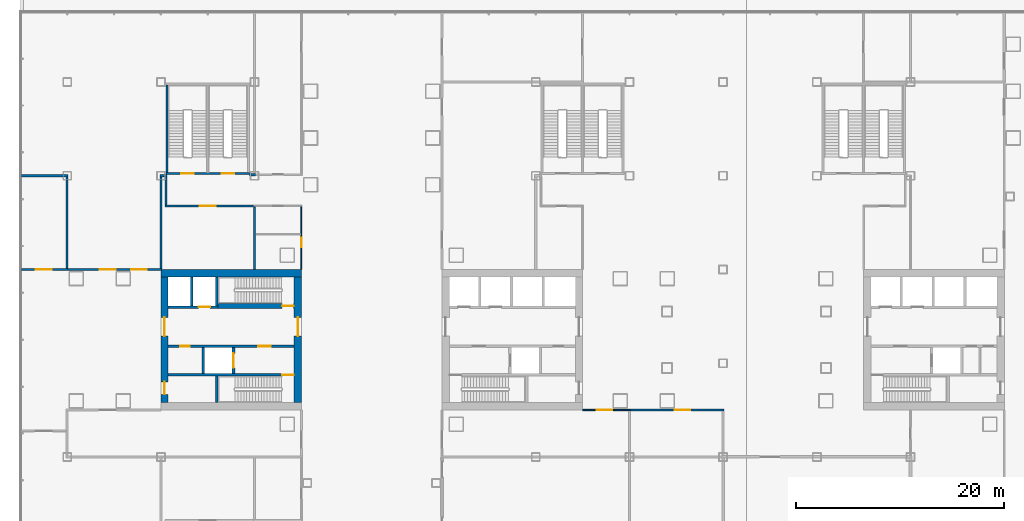
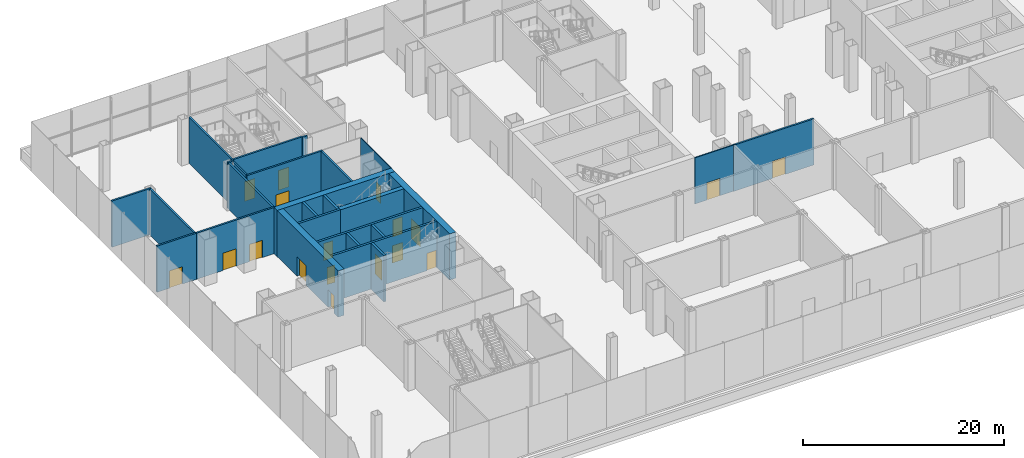
# One storey, part 23 of 38: 27 walls, 18 doors, 18 openings.
"""IFC4 building model written with IfcOpenShell, lengths in metres."""

from ifc_helpers import new_model, si_unit, direction, frame, frame_2d, origin, place, context, subcontext, project, spatial, rectangle, extrude, material, layer, layer_set, type_object, element, fill, save


model = new_model("IFC4")

# Units and contexts
model_context = context("Model", 3, precision=1e-05, world=origin(), true_north=direction((0.0, 1.0)))
body_context = subcontext(model_context, "Body", "Model", "MODEL_VIEW")
ifc_project = project(units=[si_unit("LENGTHUNIT", "METRE"), si_unit("AREAUNIT", "SQUARE_METRE"), si_unit("VOLUMEUNIT", "CUBIC_METRE"), si_unit("PLANEANGLEUNIT", "RADIAN"), si_unit("MASSUNIT", "GRAM", prefix="KILO")], contexts=[model_context])

# Site, building, storey
site_placement = place(None, origin())
site = spatial("IfcSite", under=ifc_project, at=site_placement, CompositionType="ELEMENT")
building_placement = place(site_placement, origin())
building = spatial("IfcBuilding", under=site, at=building_placement, Name="Shamsa Quay Exchange Towers", CompositionType="ELEMENT")
storey_placement = place(building_placement, frame((0.0, 0.0, 12.5)))
storey = spatial("IfcBuildingStorey", under=building, at=storey_placement, Name="L02", CompositionType="ELEMENT", Elevation=12.5)

# Wall, opening, door
ifc_material_1 = material(Name="Double-leaf gypsum board partition with acoustic insulation")
ifc_layer_1 = layer(ifc_material_1, 0.199951171875)
ifc_layer_set_1 = layer_set([ifc_layer_1], Name="Acoustic partition 200 mm EI 60")
wall_type_1 = type_object("IfcWallType", Name="Acoustic partition 200 mm EI 60", PredefinedType="PARTITIONING", material=ifc_layer_set_1)
wall_1_placement = place(storey_placement, frame((0.10009765625, -6.75, 0.0), z_axis=(0.0, 0.0, 1.0), x_axis=(-1.0, 0.0, 0.0)))
wall_1 = element("IfcWall", 1, at=wall_1_placement, inside=storey, type_object=wall_type_1, Name="Partition PD-L02-W22", PredefinedType="PARTITIONING", context=body_context, shape_type="SweptSolid", body=[
    extrude(rectangle(XDim=9.2001953125, YDim=0.199951171875, at=frame_2d((4.60009765625, 0.0))), origin(), (0.0, 0.0, 1.0), 5.60009765625),
])
opening_1_placement = place(wall_1_placement, frame((3.25, 0.0, 0.0)))
opening_1 = element("IfcOpeningElement", 2, at=opening_1_placement, cuts=wall_1, Name="Opening PD-L02-D30", PredefinedType="OPENING", context=body_context, shape_type="SweptSolid", body=[
    extrude(rectangle(XDim=1.5, YDim=2.10009765625, at=frame_2d((0.75, 1.050048828125))), frame((0.0, 0.10986328125, 0.0), z_axis=(0.0, -1.0, 0.0), x_axis=(1.0, 0.0, 0.0)), (0.0, 0.0, 1.0), 0.219970703125),
])
ifc_material_2 = material(Name="Timber door leaf in a metal frame", Category="wood")
door_type_1 = type_object("IfcDoorType", Name="Door 1500x2100 FD30S pair", OperationType="NOTDEFINED", PredefinedType="DOOR", material=ifc_material_2)
door_1_placement = place(opening_1_placement, origin())
door_1 = element("IfcDoor", 3, at=door_1_placement, inside=storey, type_object=door_type_1, Name="Door PD-L02-D30", OperationType="DOUBLE_DOOR_SINGLE_SWING", OverallHeight=2.10009765625, OverallWidth=1.5, PredefinedType="DOOR", context=body_context, shape_type="SweptSolid", body=[
    extrude(rectangle(XDim=1.5, YDim=2.10009765625, at=frame_2d((0.75, 1.050048828125))), frame((0.0, 0.02490234375, 0.0), z_axis=(0.0, -1.0, 0.0), x_axis=(1.0, 0.0, 0.0)), (0.0, 0.0, 1.0), 0.050048828125),
])
fill(opening_1, door_1)

# Wall, openings, doors
wall_2_placement = place(storey_placement, frame((-53.89990234375, 6.75, 0.0), z_axis=(0.0, 0.0, 1.0), x_axis=(-1.0, 0.0, 0.0)))
wall_2 = element("IfcWall", 4, at=wall_2_placement, inside=storey, type_object=wall_type_1, Name="Partition PD-L02-W30", PredefinedType="PARTITIONING", context=body_context, shape_type="SweptSolid", body=[
    extrude(rectangle(XDim=9.2001953125, YDim=0.199951171875, at=frame_2d((4.60009765625, 0.0))), origin(), (0.0, 0.0, 1.0), 5.60009765625),
])
opening_2_placement = place(wall_2_placement, frame((1.449951171875, 0.0, 0.0)))
opening_2 = element("IfcOpeningElement", 5, at=opening_2_placement, cuts=wall_2, Name="Opening PD-L02-D04", PredefinedType="OPENING", context=body_context, shape_type="SweptSolid", body=[
    extrude(rectangle(XDim=1.5, YDim=2.10009765625, at=frame_2d((0.75, 1.050048828125))), frame((0.0, 0.10986328125, 0.0), z_axis=(0.0, -1.0, 0.0), x_axis=(1.0, 0.0, 0.0)), (0.0, 0.0, 1.0), 0.219970703125),
])
opening_3_placement = place(wall_2_placement, frame((4.449951171875, 0.0, 0.0)))
opening_3 = element("IfcOpeningElement", 6, at=opening_3_placement, cuts=wall_2, Name="Opening PD-L02-D05", PredefinedType="OPENING", context=body_context, shape_type="SweptSolid", body=[
    extrude(rectangle(XDim=1.5, YDim=2.10009765625, at=frame_2d((0.75, 1.050048828125))), frame((0.0, 0.10986328125, 0.0), z_axis=(0.0, -1.0, 0.0), x_axis=(1.0, 0.0, 0.0)), (0.0, 0.0, 1.0), 0.219970703125),
])
door_2_placement = place(opening_2_placement, origin())
door_2 = element("IfcDoor", 7, at=door_2_placement, inside=storey, type_object=door_type_1, Name="Door PD-L02-D04", OperationType="DOUBLE_DOOR_SINGLE_SWING", OverallHeight=2.10009765625, OverallWidth=1.5, PredefinedType="DOOR", context=body_context, shape_type="SweptSolid", body=[
    extrude(rectangle(XDim=1.5, YDim=2.10009765625, at=frame_2d((0.75, 1.050048828125))), frame((0.0, 0.02490234375, 0.0), z_axis=(0.0, -1.0, 0.0), x_axis=(1.0, 0.0, 0.0)), (0.0, 0.0, 1.0), 0.050048828125),
])
fill(opening_2, door_2)
door_3_placement = place(opening_3_placement, origin())
door_3 = element("IfcDoor", 8, at=door_3_placement, inside=storey, type_object=door_type_1, Name="Door PD-L02-D05", OperationType="DOUBLE_DOOR_SINGLE_SWING", OverallHeight=2.10009765625, OverallWidth=1.5, PredefinedType="DOOR", context=body_context, shape_type="SweptSolid", body=[
    extrude(rectangle(XDim=1.5, YDim=2.10009765625, at=frame_2d((0.75, 1.050048828125))), frame((0.0, 0.02490234375, 0.0), z_axis=(0.0, -1.0, 0.0), x_axis=(1.0, 0.0, 0.0)), (0.0, 0.0, 1.0), 0.050048828125),
])
fill(opening_3, door_3)

# Wall, opening, door
wall_3_placement = place(storey_placement, frame((-67.405029296875, 6.75, 0.0)))
wall_3 = element("IfcWall", 9, at=wall_3_placement, inside=storey, type_object=wall_type_1, Name="Partition PD-L02-W33", PredefinedType="PARTITIONING", context=body_context, shape_type="SweptSolid", body=[
    extrude(rectangle(XDim=4.505126953125, YDim=0.199951171875, at=frame_2d((2.25244140625, 0.0))), origin(), (0.0, 0.0, 1.0), 5.60009765625),
])
opening_4_placement = place(wall_3_placement, frame((1.405029296875, 0.0, 0.0)))
opening_4 = element("IfcOpeningElement", 10, at=opening_4_placement, cuts=wall_3, Name="Opening PD-L02-D01", PredefinedType="OPENING", context=body_context, shape_type="SweptSolid", body=[
    extrude(rectangle(XDim=1.5, YDim=2.10009765625, at=frame_2d((0.75, 1.050048828125))), frame((0.0, 0.10986328125, 0.0), z_axis=(0.0, -1.0, 0.0), x_axis=(1.0, 0.0, 0.0)), (0.0, 0.0, 1.0), 0.219970703125),
])
door_4_placement = place(opening_4_placement, origin())
door_4 = element("IfcDoor", 11, at=door_4_placement, inside=storey, type_object=door_type_1, Name="Door PD-L02-D01", OperationType="DOUBLE_DOOR_SINGLE_SWING", OverallHeight=2.10009765625, OverallWidth=1.5, PredefinedType="DOOR", context=body_context, shape_type="SweptSolid", body=[
    extrude(rectangle(XDim=1.5, YDim=2.10009765625, at=frame_2d((0.75, 1.050048828125))), frame((0.0, 0.02490234375, 0.0), z_axis=(0.0, -1.0, 0.0), x_axis=(1.0, 0.0, 0.0)), (0.0, 0.0, 1.0), 0.050048828125),
])
fill(opening_4, door_4)

# Wall
wall_4_placement = place(storey_placement, frame((-44.89990234375, 15.849609375, 0.0), z_axis=(0.0, 0.0, 1.0), x_axis=(-1.0, 0.0, 0.0)))
element("IfcWall", 12, at=wall_4_placement, inside=storey, type_object=wall_type_1, Name="Partition PD-L02-W36", PredefinedType="PARTITIONING", context=body_context, shape_type="SweptSolid", body=[
    extrude(rectangle(XDim=0.60009765625, YDim=0.199951171875, at=frame_2d((0.300048828125, 0.0))), origin(), (0.0, 0.0, 1.0), 5.60009765625),
])

# Wall, opening, door
wall_5_placement = place(storey_placement, frame((-44.89990234375, 12.849609375, 0.0), z_axis=(0.0, 0.0, 1.0), x_axis=(-1.0, 0.0, 0.0)))
wall_5 = element("IfcWall", 13, at=wall_5_placement, inside=storey, type_object=wall_type_1, Name="Partition PD-L02-W38", PredefinedType="PARTITIONING", context=body_context, shape_type="SweptSolid", body=[
    extrude(rectangle(XDim=8.7001953125, YDim=0.199951171875, at=frame_2d((4.35009765625, 0.0))), origin(), (0.0, 0.0, 1.0), 5.60009765625),
])
opening_5_placement = place(wall_5_placement, frame((3.85009765625, 0.0, 0.0)))
opening_5 = element("IfcOpeningElement", 14, at=opening_5_placement, cuts=wall_5, Name="Opening PD-L02-D07", PredefinedType="OPENING", context=body_context, shape_type="SweptSolid", body=[
    extrude(rectangle(XDim=1.5, YDim=2.10009765625, at=frame_2d((0.75, 1.050048828125))), frame((0.0, 0.10986328125, 0.0), z_axis=(0.0, -1.0, 0.0), x_axis=(1.0, 0.0, 0.0)), (0.0, 0.0, 1.0), 0.219970703125),
])
door_5_placement = place(opening_5_placement, origin())
door_5 = element("IfcDoor", 15, at=door_5_placement, inside=storey, type_object=door_type_1, Name="Door PD-L02-D07", OperationType="DOUBLE_DOOR_SINGLE_SWING", OverallHeight=2.10009765625, OverallWidth=1.5, PredefinedType="DOOR", context=body_context, shape_type="SweptSolid", body=[
    extrude(rectangle(XDim=1.5, YDim=2.10009765625, at=frame_2d((0.75, 1.050048828125))), frame((0.0, 0.02490234375, 0.0), z_axis=(0.0, -1.0, 0.0), x_axis=(1.0, 0.0, 0.0)), (0.0, 0.0, 1.0), 0.050048828125),
])
fill(opening_5, door_5)

# Walls
wall_6_placement = place(storey_placement, frame((-53.5, 12.94970703125, 0.0), z_axis=(0.0, 0.0, 1.0), x_axis=(0.0, 1.0, 0.0)))
element("IfcWall", 16, at=wall_6_placement, inside=storey, type_object=wall_type_1, Name="Partition PD-L02-W40", PredefinedType="PARTITIONING", context=body_context, shape_type="SweptSolid", body=[
    extrude(rectangle(XDim=2.7001953125, YDim=0.199951171875, at=frame_2d((1.35009765625, 0.0))), origin(), (0.0, 0.0, 1.0), 5.60009765625),
])
wall_7_placement = place(storey_placement, frame((-54.0, 6.85009765625, 0.0), z_axis=(0.0, 0.0, 1.0), x_axis=(0.0, 1.0, 0.0)))
element("IfcWall", 17, at=wall_7_placement, inside=storey, type_object=wall_type_1, Name="Partition PD-L02-W65", PredefinedType="PARTITIONING", context=body_context, shape_type="SweptSolid", body=[
    extrude(rectangle(XDim=8.7998046875, YDim=0.199951171875, at=frame_2d((4.39990234375, 0.0))), origin(), (0.0, 0.0, 1.0), 5.60009765625),
])
wall_8_placement = place(storey_placement, frame((-45.0, 6.75, 0.0), z_axis=(0.0, 0.0, 1.0), x_axis=(0.0, 1.0, 0.0)))
element("IfcWall", 18, at=wall_8_placement, inside=storey, type_object=wall_type_1, Name="Partition PD-L02-W71", PredefinedType="PARTITIONING", context=body_context, shape_type="SweptSolid", body=[
    extrude(rectangle(XDim=5.99951171875, YDim=0.199951171875, at=frame_2d((2.999755859375, 0.0))), origin(), (0.0, 0.0, 1.0), 5.60009765625),
])
wall_9_placement = place(storey_placement, frame((-67.405029296875, 15.75, 0.0)))
element("IfcWall", 19, at=wall_9_placement, inside=storey, type_object=wall_type_1, Name="Partition PD-L02-W73", PredefinedType="PARTITIONING", context=body_context, shape_type="SweptSolid", body=[
    extrude(rectangle(XDim=4.505126953125, YDim=0.199951171875, at=frame_2d((2.25244140625, 0.0))), origin(), (0.0, 0.0, 1.0), 5.60009765625),
])
wall_10_placement = place(storey_placement, frame((-54.10009765625, 15.75, 0.0)))
element("IfcWall", 20, at=wall_10_placement, inside=storey, type_object=wall_type_1, Name="Partition PD-L02-W74", PredefinedType="PARTITIONING", context=body_context, shape_type="SweptSolid", body=[
    extrude(rectangle(XDim=0.7001953125, YDim=0.199951171875, at=frame_2d((0.35009765625, 0.0))), origin(), (0.0, 0.0, 1.0), 5.60009765625),
])
wall_11_placement = place(storey_placement, frame((-63.0, 15.64990234375, 0.0), z_axis=(0.0, 0.0, 1.0), x_axis=(0.0, -1.0, 0.0)))
element("IfcWall", 21, at=wall_11_placement, inside=storey, type_object=wall_type_1, Name="Partition PD-L02-W77", PredefinedType="PARTITIONING", context=body_context, shape_type="SweptSolid", body=[
    extrude(rectangle(XDim=8.7998046875, YDim=0.199951171875, at=frame_2d((4.39990234375, 0.0))), origin(), (0.0, 0.0, 1.0), 5.60009765625),
])
ifc_material_3 = material(Name="Concrete C80/95", Category="concrete")
ifc_layer_2 = layer(ifc_material_3, 0.699951171875)
ifc_layer_set_2 = layer_set([ifc_layer_2], Name="CORE WALL 700 C80/95")
wall_type_2 = type_object("IfcWallType", Name="CORE WALL 700 C80/95", PredefinedType="SHEAR", material=ifc_layer_set_2)
wall_12_placement = place(storey_placement, frame((-40.5, 6.39990234375, 0.0), z_axis=(0.0, 0.0, 1.0), x_axis=(-1.0, 0.0, 0.0)))
element("IfcWall", 22, at=wall_12_placement, inside=storey, type_object=wall_type_2, Name="Core wall T1B-L02-PN", PredefinedType="SHEAR", context=body_context, shape_type="SweptSolid", body=[
    extrude(rectangle(XDim=13.5, YDim=0.699951171875, at=frame_2d((6.75, 0.0))), origin(), (0.0, 0.0, 1.0), 5.60009765625),
])

# Wall, opening, door
wall_13_placement = place(storey_placement, frame((-40.85009765625, -6.050048828125, 0.0), z_axis=(0.0, 0.0, 1.0), x_axis=(0.0, 1.0, 0.0)))
wall_13 = element("IfcWall", 23, at=wall_13_placement, inside=storey, type_object=wall_type_2, Name="Core wall T1B-L02-PF", PredefinedType="SHEAR", context=body_context, shape_type="SweptSolid", body=[
    extrude(rectangle(XDim=12.10009765625, YDim=0.699951171875, at=frame_2d((6.050048828125, 0.0))), origin(), (0.0, 0.0, 1.0), 5.60009765625),
])
opening_6_placement = place(wall_13_placement, frame((6.39990234375, 0.0, 0.0)))
opening_6 = element("IfcOpeningElement", 24, at=opening_6_placement, cuts=wall_13, Name="Opening T1B-L02-LBD01", PredefinedType="OPENING", context=body_context, shape_type="SweptSolid", body=[
    extrude(rectangle(XDim=1.800048828125, YDim=2.39990234375, at=frame_2d((0.89990234375, 1.199951171875))), frame((0.0, 0.35986328125, 0.0), z_axis=(0.0, -1.0, 0.0), x_axis=(1.0, 0.0, 0.0)), (0.0, 0.0, 1.0), 0.719970703125),
])
ifc_material_4 = material(Name="Steel, fire rated", Category="steel")
door_type_2 = type_object("IfcDoorType", Name="LIFT LOBBY DOOR PAIR 1800", OperationType="DOUBLE_DOOR_SINGLE_SWING", PredefinedType="DOOR", material=ifc_material_4)
door_6_placement = place(opening_6_placement, origin())
door_6 = element("IfcDoor", 25, at=door_6_placement, inside=storey, type_object=door_type_2, Name="T1B-L02-LBD01", OperationType="DOUBLE_DOOR_SINGLE_SWING", OverallHeight=2.39990234375, OverallWidth=1.800048828125, PredefinedType="DOOR", context=body_context, shape_type="SweptSolid", body=[
    extrude(rectangle(XDim=1.800048828125, YDim=2.39990234375, at=frame_2d((0.89990234375, 1.199951171875))), frame((0.0, 0.02490234375, 0.0), z_axis=(0.0, -1.0, 0.0), x_axis=(1.0, 0.0, 0.0)), (0.0, 0.0, 1.0), 0.050048828125),
])
fill(opening_6, door_6)

# Wall, openings, doors
wall_14_placement = place(storey_placement, frame((-53.64990234375, -6.050048828125, 0.0), z_axis=(0.0, 0.0, 1.0), x_axis=(0.0, 1.0, 0.0)))
wall_14 = element("IfcWall", 26, at=wall_14_placement, inside=storey, type_object=wall_type_2, Name="Core wall T1B-L02-PB", PredefinedType="SHEAR", context=body_context, shape_type="SweptSolid", body=[
    extrude(rectangle(XDim=12.10009765625, YDim=0.699951171875, at=frame_2d((6.050048828125, 0.0))), origin(), (0.0, 0.0, 1.0), 5.60009765625),
])
opening_7_placement = place(wall_14_placement, frame((0.800048828125, 0.0, 0.0)))
opening_7 = element("IfcOpeningElement", 27, at=opening_7_placement, cuts=wall_14, Name="Opening T1B-L02-RD02", PredefinedType="OPENING", context=body_context, shape_type="SweptSolid", body=[
    extrude(rectangle(XDim=1.199951171875, YDim=2.10009765625, at=frame_2d((0.60009765625, 1.050048828125))), frame((0.0, 0.35986328125, 0.0), z_axis=(0.0, -1.0, 0.0), x_axis=(1.0, 0.0, 0.0)), (0.0, 0.0, 1.0), 0.719970703125),
])
opening_8_placement = place(wall_14_placement, frame((6.39990234375, 0.0, 0.0)))
opening_8 = element("IfcOpeningElement", 28, at=opening_8_placement, cuts=wall_14, Name="Opening T1B-L02-LBD03", PredefinedType="OPENING", context=body_context, shape_type="SweptSolid", body=[
    extrude(rectangle(XDim=1.800048828125, YDim=2.39990234375, at=frame_2d((0.89990234375, 1.199951171875))), frame((0.0, 0.35986328125, 0.0), z_axis=(0.0, -1.0, 0.0), x_axis=(1.0, 0.0, 0.0)), (0.0, 0.0, 1.0), 0.719970703125),
])
door_7_placement = place(opening_8_placement, origin())
door_7 = element("IfcDoor", 29, at=door_7_placement, inside=storey, type_object=door_type_2, Name="T1B-L02-LBD03", OperationType="DOUBLE_DOOR_SINGLE_SWING", OverallHeight=2.39990234375, OverallWidth=1.800048828125, PredefinedType="DOOR", context=body_context, shape_type="SweptSolid", body=[
    extrude(rectangle(XDim=1.800048828125, YDim=2.39990234375, at=frame_2d((0.89990234375, 1.199951171875))), frame((0.0, 0.02490234375, 0.0), z_axis=(0.0, -1.0, 0.0), x_axis=(1.0, 0.0, 0.0)), (0.0, 0.0, 1.0), 0.050048828125),
])
fill(opening_8, door_7)
door_type_3 = type_object("IfcDoorType", Name="RISER ACCESS DOOR 1200", OperationType="SINGLE_SWING_LEFT", PredefinedType="DOOR", material=ifc_material_4)
door_8_placement = place(opening_7_placement, origin())
door_8 = element("IfcDoor", 30, at=door_8_placement, inside=storey, type_object=door_type_3, Name="T1B-L02-RD02", OperationType="SINGLE_SWING_LEFT", OverallHeight=2.10009765625, OverallWidth=1.199951171875, PredefinedType="DOOR", context=body_context, shape_type="SweptSolid", body=[
    extrude(rectangle(XDim=1.199951171875, YDim=2.10009765625, at=frame_2d((0.60009765625, 1.050048828125))), frame((0.0, 0.02490234375, 0.0), z_axis=(0.0, -1.0, 0.0), x_axis=(1.0, 0.0, 0.0)), (0.0, 0.0, 1.0), 0.050048828125),
])
fill(opening_7, door_8)

# Wall, opening, door
ifc_material_5 = material(Name="Laminated fire-resisting glass in a metal frame", Category="glass")
ifc_layer_3 = layer(ifc_material_5, 0.125)
ifc_layer_set_3 = layer_set([ifc_layer_3], Name="Glazed partition 125 mm EI 60")
wall_type_3 = type_object("IfcWallType", Name="Glazed partition 125 mm EI 60", PredefinedType="PARTITIONING", material=ifc_layer_set_3)
wall_15_placement = place(storey_placement, frame((-13.5, -6.75, 0.0)))
wall_15 = element("IfcWall", 31, at=wall_15_placement, inside=storey, type_object=wall_type_3, Name="Partition PD-L02-W20", PredefinedType="PARTITIONING", context=body_context, shape_type="SweptSolid", body=[
    extrude(rectangle(XDim=4.60009765625, YDim=0.125, at=frame_2d((2.300048828125, 0.0))), origin(), (0.0, 0.0, 1.0), 5.60009765625),
])
opening_9_placement = place(wall_15_placement, frame((1.35009765625, 0.0, 0.0)))
opening_9 = element("IfcOpeningElement", 32, at=opening_9_placement, cuts=wall_15, Name="Opening PD-L02-D23", PredefinedType="OPENING", context=body_context, shape_type="SweptSolid", body=[
    extrude(rectangle(XDim=1.5, YDim=2.10009765625, at=frame_2d((0.75, 1.050048828125))), frame((0.0, 0.072509765625, 0.0), z_axis=(0.0, -1.0, 0.0), x_axis=(1.0, 0.0, 0.0)), (0.0, 0.0, 1.0), 0.14501953125),
])
door_9_placement = place(opening_9_placement, origin())
door_9 = element("IfcDoor", 33, at=door_9_placement, inside=storey, type_object=door_type_1, Name="Door PD-L02-D23", OperationType="DOUBLE_DOOR_SINGLE_SWING", OverallHeight=2.10009765625, OverallWidth=1.5, PredefinedType="DOOR", context=body_context, shape_type="SweptSolid", body=[
    extrude(rectangle(XDim=1.5, YDim=2.10009765625, at=frame_2d((0.75, 1.050048828125))), frame((0.0, 0.02490234375, 0.0), z_axis=(0.0, -1.0, 0.0), x_axis=(1.0, 0.0, 0.0)), (0.0, 0.0, 1.0), 0.050048828125),
])
fill(opening_9, door_9)

ifc_material_6 = material(Name="Gypsum board partition on metal studs")
ifc_layer_4 = layer(ifc_material_6, 0.10009765625)
ifc_layer_set_4 = layer_set([ifc_layer_4], Name="Partition 100 mm NOT RATED")
wall_type_4 = type_object("IfcWallType", Name="Partition 100 mm NOT RATED", PredefinedType="PARTITIONING", material=ifc_layer_set_4)
wall_16_placement = place(storey_placement, frame((-40.5, 6.75, 0.0), z_axis=(0.0, 0.0, 1.0), x_axis=(0.0, 1.0, 0.0)))
wall_16 = element("IfcWall", 34, at=wall_16_placement, inside=storey, type_object=wall_type_4, Name="Partition PD-L02-W09", PredefinedType="PARTITIONING", context=body_context, shape_type="SweptSolid", body=[
    extrude(rectangle(XDim=6.049560546875, YDim=0.10009765625, at=frame_2d((3.02490234375, 0.0))), origin(), (0.0, 0.0, 1.0), 5.60009765625),
])
opening_10_placement = place(wall_16_placement, frame((2.137451171875, 0.0, 0.0)))
opening_10 = element("IfcOpeningElement", 35, at=opening_10_placement, cuts=wall_16, Name="Opening PD-L02-D12", PredefinedType="OPENING", context=body_context, shape_type="SweptSolid", body=[
    extrude(rectangle(XDim=0.89990234375, YDim=2.10009765625, at=frame_2d((0.449951171875, 1.050048828125))), frame((0.0, 0.06005859375, 0.0), z_axis=(0.0, -1.0, 0.0), x_axis=(1.0, 0.0, 0.0)), (0.0, 0.0, 1.0), 0.1201171875),
])
door_type_4 = type_object("IfcDoorType", Name="Door 900x2100 NOT RATED", OperationType="NOTDEFINED", PredefinedType="DOOR", material=ifc_material_2)
door_10_placement = place(opening_10_placement, origin())
door_10 = element("IfcDoor", 36, at=door_10_placement, inside=storey, type_object=door_type_4, Name="Door PD-L02-D12", OperationType="SINGLE_SWING_RIGHT", OverallHeight=2.10009765625, OverallWidth=0.89990234375, PredefinedType="DOOR", context=body_context, shape_type="SweptSolid", body=[
    extrude(rectangle(XDim=0.89990234375, YDim=2.10009765625, at=frame_2d((0.449951171875, 1.050048828125))), frame((0.0, 0.02490234375, 0.0), z_axis=(0.0, -1.0, 0.0), x_axis=(1.0, 0.0, 0.0)), (0.0, 0.0, 1.0), 0.050048828125),
])
fill(opening_10, door_10)

ifc_material_7 = material(Name="Concrete C50/60", Category="concrete")
ifc_layer_5 = layer(ifc_material_7, 0.25)
ifc_layer_set_5 = layer_set([ifc_layer_5], Name="SHAFT WALL 250 C50/60")
wall_type_5 = type_object("IfcWallType", Name="SHAFT WALL 250 C50/60", PredefinedType="SHEAR", material=ifc_layer_set_5)
wall_17_placement = place(storey_placement, frame((-41.199951171875, -3.375, 0.0), z_axis=(0.0, 0.0, 1.0), x_axis=(-1.0, 0.0, 0.0)))
wall_17 = element("IfcWall", 37, at=wall_17_placement, inside=storey, type_object=wall_type_5, Name="Shaft wall T1B-L02-STL", PredefinedType="SHEAR", context=body_context, shape_type="SweptSolid", body=[
    extrude(rectangle(XDim=12.10009765625, YDim=0.25, at=frame_2d((6.050048828125, 0.0))), origin(), (0.0, 0.0, 1.0), 5.60009765625),
])
opening_11_placement = place(wall_17_placement, frame((0.050048828125, 0.0, 0.0)))
opening_11 = element("IfcOpeningElement", 38, at=opening_11_placement, cuts=wall_17, Name="Opening T1B-L02-SD04", PredefinedType="OPENING", context=body_context, shape_type="SweptSolid", body=[
    extrude(rectangle(XDim=1.10009765625, YDim=2.10009765625, at=frame_2d((0.550048828125, 1.050048828125))), frame((0.0, 0.135009765625, 0.0), z_axis=(0.0, -1.0, 0.0), x_axis=(1.0, 0.0, 0.0)), (0.0, 0.0, 1.0), 0.27001953125),
])
door_type_5 = type_object("IfcDoorType", Name="STAIR DOOR 1100", OperationType="SINGLE_SWING_LEFT", PredefinedType="DOOR", material=ifc_material_4)
door_11_placement = place(opening_11_placement, origin())
door_11 = element("IfcDoor", 39, at=door_11_placement, inside=storey, type_object=door_type_5, Name="T1B-L02-SD04", OperationType="SINGLE_SWING_LEFT", OverallHeight=2.10009765625, OverallWidth=1.10009765625, PredefinedType="DOOR", context=body_context, shape_type="SweptSolid", body=[
    extrude(rectangle(XDim=1.10009765625, YDim=2.10009765625, at=frame_2d((0.550048828125, 1.050048828125))), frame((0.0, 0.02490234375, 0.0), z_axis=(0.0, -1.0, 0.0), x_axis=(1.0, 0.0, 0.0)), (0.0, 0.0, 1.0), 0.050048828125),
])
fill(opening_11, door_11)

# Wall
wall_18_placement = place(storey_placement, frame((-48.625, -6.050048828125, 0.0), z_axis=(0.0, 0.0, 1.0), x_axis=(0.0, 1.0, 0.0)))
element("IfcWall", 40, at=wall_18_placement, inside=storey, type_object=wall_type_5, Name="Shaft wall T1B-L02-STF", PredefinedType="SHEAR", context=body_context, shape_type="SweptSolid", body=[
    extrude(rectangle(XDim=2.550048828125, YDim=0.25, at=frame_2d((1.27490234375, 0.0))), origin(), (0.0, 0.0, 1.0), 5.60009765625),
])

# Wall, openings, doors
wall_19_placement = place(storey_placement, frame((-41.199951171875, -0.625, 0.0), z_axis=(0.0, 0.0, 1.0), x_axis=(-1.0, 0.0, 0.0)))
wall_19 = element("IfcWall", 41, at=wall_19_placement, inside=storey, type_object=wall_type_5, Name="Shaft wall T1B-L02-B", PredefinedType="SHEAR", context=body_context, shape_type="SweptSolid", body=[
    extrude(rectangle(XDim=12.10009765625, YDim=0.25, at=frame_2d((6.050048828125, 0.0))), origin(), (0.0, 0.0, 1.0), 5.60009765625),
])
opening_12_placement = place(wall_19_placement, frame((2.25, 0.0, 0.0)))
opening_12 = element("IfcOpeningElement", 42, at=opening_12_placement, cuts=wall_19, Name="Opening T1B-L02-FD05", PredefinedType="OPENING", context=body_context, shape_type="SweptSolid", body=[
    extrude(rectangle(XDim=1.199951171875, YDim=2.10009765625, at=frame_2d((0.60009765625, 1.050048828125))), frame((0.0, 0.135009765625, 0.0), z_axis=(0.0, -1.0, 0.0), x_axis=(1.0, 0.0, 0.0)), (0.0, 0.0, 1.0), 0.27001953125),
])
opening_13_placement = place(wall_19_placement, frame((10.02490234375, 0.0, 0.0)))
opening_13 = element("IfcOpeningElement", 43, at=opening_13_placement, cuts=wall_19, Name="Opening T1B-L02-SV06", PredefinedType="OPENING", context=body_context, shape_type="SweptSolid", body=[
    extrude(rectangle(XDim=0.89990234375, YDim=2.10009765625, at=frame_2d((0.449951171875, 1.050048828125))), frame((0.0, 0.135009765625, 0.0), z_axis=(0.0, -1.0, 0.0), x_axis=(1.0, 0.0, 0.0)), (0.0, 0.0, 1.0), 0.27001953125),
])
door_type_6 = type_object("IfcDoorType", Name="FIRE SERVICE LOBBY DOOR 1200", OperationType="SINGLE_SWING_LEFT", PredefinedType="DOOR", material=ifc_material_4)
door_12_placement = place(opening_12_placement, origin())
door_12 = element("IfcDoor", 44, at=door_12_placement, inside=storey, type_object=door_type_6, Name="T1B-L02-FD05", OperationType="SINGLE_SWING_LEFT", OverallHeight=2.10009765625, OverallWidth=1.199951171875, PredefinedType="DOOR", context=body_context, shape_type="SweptSolid", body=[
    extrude(rectangle(XDim=1.199951171875, YDim=2.10009765625, at=frame_2d((0.60009765625, 1.050048828125))), frame((0.0, 0.02490234375, 0.0), z_axis=(0.0, -1.0, 0.0), x_axis=(1.0, 0.0, 0.0)), (0.0, 0.0, 1.0), 0.050048828125),
])
fill(opening_12, door_12)
door_type_7 = type_object("IfcDoorType", Name="SERVICE ROOM DOOR 900", OperationType="SINGLE_SWING_LEFT", PredefinedType="DOOR", material=ifc_material_4)
door_13_placement = place(opening_13_placement, origin())
door_13 = element("IfcDoor", 45, at=door_13_placement, inside=storey, type_object=door_type_7, Name="T1B-L02-SV06", OperationType="SINGLE_SWING_RIGHT", OverallHeight=2.10009765625, OverallWidth=0.89990234375, PredefinedType="DOOR", context=body_context, shape_type="SweptSolid", body=[
    extrude(rectangle(XDim=0.89990234375, YDim=2.10009765625, at=frame_2d((0.449951171875, 1.050048828125))), frame((0.0, 0.02490234375, 0.0), z_axis=(0.0, -1.0, 0.0), x_axis=(1.0, 0.0, 0.0)), (0.0, 0.0, 1.0), 0.050048828125),
])
fill(opening_13, door_13)

# Wall, opening, door
wall_20_placement = place(storey_placement, frame((-47.02490234375, -3.25, 0.0), z_axis=(0.0, 0.0, 1.0), x_axis=(0.0, 1.0, 0.0)))
wall_20 = element("IfcWall", 46, at=wall_20_placement, inside=storey, type_object=wall_type_5, Name="Shaft wall T1B-L02-FFF", PredefinedType="SHEAR", context=body_context, shape_type="SweptSolid", body=[
    extrude(rectangle(XDim=2.5, YDim=0.25, at=frame_2d((1.25, 0.0))), origin(), (0.0, 0.0, 1.0), 5.60009765625),
])
opening_14_placement = place(wall_20_placement, frame((0.550048828125, 0.0, 0.0)))
opening_14 = element("IfcOpeningElement", 47, at=opening_14_placement, cuts=wall_20, Name="Opening T1B-L02-LDG07", PredefinedType="OPENING", context=body_context, shape_type="SweptSolid", body=[
    extrude(rectangle(XDim=1.39990234375, YDim=2.39990234375, at=frame_2d((0.699951171875, 1.199951171875))), frame((0.0, 0.135009765625, 0.0), z_axis=(0.0, -1.0, 0.0), x_axis=(1.0, 0.0, 0.0)), (0.0, 0.0, 1.0), 0.27001953125),
])
door_type_8 = type_object("IfcDoorType", Name="GOODS LIFT LANDING DOOR 1400", OperationType="SLIDING_TO_LEFT", PredefinedType="DOOR", material=ifc_material_4)
door_14_placement = place(opening_14_placement, origin())
door_14 = element("IfcDoor", 48, at=door_14_placement, inside=storey, type_object=door_type_8, Name="T1B-L02-LDG07", OperationType="SLIDING_TO_LEFT", OverallHeight=2.39990234375, OverallWidth=1.39990234375, PredefinedType="DOOR", context=body_context, shape_type="SweptSolid", body=[
    extrude(rectangle(XDim=1.39990234375, YDim=2.39990234375, at=frame_2d((0.699951171875, 1.199951171875))), frame((0.0, 0.02490234375, 0.0), z_axis=(0.0, -1.0, 0.0), x_axis=(1.0, 0.0, 0.0)), (0.0, 0.0, 1.0), 0.050048828125),
])
fill(opening_14, door_14)

# Wall
wall_21_placement = place(storey_placement, frame((-49.925048828125, -3.25, 0.0), z_axis=(0.0, 0.0, 1.0), x_axis=(0.0, 1.0, 0.0)))
element("IfcWall", 49, at=wall_21_placement, inside=storey, type_object=wall_type_5, Name="Shaft wall T1B-L02-FFB", PredefinedType="SHEAR", context=body_context, shape_type="SweptSolid", body=[
    extrude(rectangle(XDim=2.5, YDim=0.25, at=frame_2d((1.25, 0.0))), origin(), (0.0, 0.0, 1.0), 5.60009765625),
])

# Wall, opening, door
wall_22_placement = place(storey_placement, frame((-48.5, 3.125, 0.0), z_axis=(0.0, 0.0, 1.0), x_axis=(-1.0, 0.0, 0.0)))
wall_22 = element("IfcWall", 50, at=wall_22_placement, inside=storey, type_object=wall_type_5, Name="Shaft wall T1B-L02-N2", PredefinedType="SHEAR", context=body_context, shape_type="SweptSolid", body=[
    extrude(rectangle(XDim=4.800048828125, YDim=0.25, at=frame_2d((2.39990234375, 0.0))), origin(), (0.0, 0.0, 1.0), 5.60009765625),
])
opening_15_placement = place(wall_22_placement, frame((0.77490234375, 0.0, 0.0)))
opening_15 = element("IfcOpeningElement", 51, at=opening_15_placement, cuts=wall_22, Name="Opening T1B-L02-LD09", PredefinedType="OPENING", context=body_context, shape_type="SweptSolid", body=[
    extrude(rectangle(XDim=1.10009765625, YDim=2.10009765625, at=frame_2d((0.550048828125, 1.050048828125))), frame((0.0, 0.135009765625, 0.0), z_axis=(0.0, -1.0, 0.0), x_axis=(1.0, 0.0, 0.0)), (0.0, 0.0, 1.0), 0.27001953125),
])
door_type_9 = type_object("IfcDoorType", Name="LANDING DOOR 1100", OperationType="SLIDING_TO_LEFT", PredefinedType="DOOR", material=ifc_material_4)
door_15_placement = place(opening_15_placement, origin())
door_15 = element("IfcDoor", 52, at=door_15_placement, inside=storey, type_object=door_type_9, Name="T1B-L02-LD09", OperationType="SLIDING_TO_LEFT", OverallHeight=2.10009765625, OverallWidth=1.10009765625, PredefinedType="DOOR", context=body_context, shape_type="SweptSolid", body=[
    extrude(rectangle(XDim=1.10009765625, YDim=2.10009765625, at=frame_2d((0.550048828125, 1.050048828125))), frame((0.0, 0.02490234375, 0.0), z_axis=(0.0, -1.0, 0.0), x_axis=(1.0, 0.0, 0.0)), (0.0, 0.0, 1.0), 0.050048828125),
])
fill(opening_15, door_15)

# Walls
for number, where, z_axis, x_axis, name in (
    (53, (-48.625, 3.25, 0.0), (0.0, 0.0, 1.0), (0.0, 1.0, 0.0), "Shaft wall T1B-L02-STF2"),
    (54, (-51.02490234375, 3.25, 0.0), (0.0, 0.0, 1.0), (0.0, 1.0, 0.0), "Shaft wall T1B-L02-D0"),
):
    element("IfcWall", number, at=place(storey_placement, frame(where, z_axis=z_axis, x_axis=x_axis)), inside=storey, type_object=wall_type_5, Name=name, PredefinedType="SHEAR", context=body_context, shape_type="SweptSolid", body=[
        extrude(rectangle(XDim=2.800048828125, YDim=0.25, at=frame_2d((1.39990234375, 0.0))), origin(), (0.0, 0.0, 1.0), 5.60009765625),
    ])

# Wall, opening, door
ifc_layer_6 = layer(ifc_material_7, 0.5)
ifc_layer_set_6 = layer_set([ifc_layer_6], Name="SHAFT WALL 500 C50/60")
wall_type_6 = type_object("IfcWallType", Name="SHAFT WALL 500 C50/60", PredefinedType="SHEAR", material=ifc_layer_set_6)
wall_23_placement = place(storey_placement, frame((-48.5, 3.25, 0.0)))
wall_23 = element("IfcWall", 55, at=wall_23_placement, inside=storey, type_object=wall_type_6, Name="Shaft wall T1B-L02-N", PredefinedType="SHEAR", context=body_context, shape_type="SweptSolid", body=[
    extrude(rectangle(XDim=7.300048828125, YDim=0.5, at=frame_2d((3.64990234375, 0.0))), origin(), (0.0, 0.0, 1.0), 5.60009765625),
])
opening_16_placement = place(wall_23_placement, frame((6.14990234375, 0.0, 0.0)))
opening_16 = element("IfcOpeningElement", 56, at=opening_16_placement, cuts=wall_23, Name="Opening T1B-L02-SD08", PredefinedType="OPENING", context=body_context, shape_type="SweptSolid", body=[
    extrude(rectangle(XDim=1.10009765625, YDim=2.10009765625, at=frame_2d((0.550048828125, 1.050048828125))), frame((0.0, 0.260009765625, 0.0), z_axis=(0.0, -1.0, 0.0), x_axis=(1.0, 0.0, 0.0)), (0.0, 0.0, 1.0), 0.52001953125),
])
door_16_placement = place(opening_16_placement, origin())
door_16 = element("IfcDoor", 57, at=door_16_placement, inside=storey, type_object=door_type_5, Name="T1B-L02-SD08", OperationType="SINGLE_SWING_RIGHT", OverallHeight=2.10009765625, OverallWidth=1.10009765625, PredefinedType="DOOR", context=body_context, shape_type="SweptSolid", body=[
    extrude(rectangle(XDim=1.10009765625, YDim=2.10009765625, at=frame_2d((0.550048828125, 1.050048828125))), frame((0.0, 0.02490234375, 0.0), z_axis=(0.0, -1.0, 0.0), x_axis=(1.0, 0.0, 0.0)), (0.0, 0.0, 1.0), 0.050048828125),
])
fill(opening_16, door_16)

# Wall, openings, doors
ifc_layer_7 = layer(ifc_material_7, 0.199951171875)
ifc_layer_set_7 = layer_set([ifc_layer_7], Name="STAIR ENCLOSURE WALL 200 C50/60")
wall_type_7 = type_object("IfcWallType", Name="STAIR ENCLOSURE WALL 200 C50/60", PredefinedType="SHEAR", material=ifc_layer_set_7)
wall_24_placement = place(storey_placement, frame((-53.5, 15.949951171875, 0.0)))
wall_24 = element("IfcWall", 58, at=wall_24_placement, inside=storey, type_object=wall_type_7, Name="Stair enclosure wall PS1 inward", PredefinedType="SHEAR", context=body_context, shape_type="SweptSolid", body=[
    extrude(rectangle(XDim=8.0, YDim=0.199951171875, at=frame_2d((4.0, 0.0))), origin(), (0.0, 0.0, 1.0), 5.60009765625),
])
opening_17_placement = place(wall_24_placement, frame((1.46240234375, 0.0, 0.0)))
opening_17 = element("IfcOpeningElement", 59, at=opening_17_placement, cuts=wall_24, Name="Opening PS1A-L02-SD01", PredefinedType="OPENING", context=body_context, shape_type="SweptSolid", body=[
    extrude(rectangle(XDim=1.199951171875, YDim=2.39990234375, at=frame_2d((0.60009765625, 1.199951171875))), frame((0.0, 0.10986328125, 0.0), z_axis=(0.0, -1.0, 0.0), x_axis=(1.0, 0.0, 0.0)), (0.0, 0.0, 1.0), 0.219970703125),
])
opening_18_placement = place(wall_24_placement, frame((5.33740234375, 0.0, 0.0)))
opening_18 = element("IfcOpeningElement", 60, at=opening_18_placement, cuts=wall_24, Name="Opening PS1B-L02-SD01", PredefinedType="OPENING", context=body_context, shape_type="SweptSolid", body=[
    extrude(rectangle(XDim=1.199951171875, YDim=2.39990234375, at=frame_2d((0.60009765625, 1.199951171875))), frame((0.0, 0.10986328125, 0.0), z_axis=(0.0, -1.0, 0.0), x_axis=(1.0, 0.0, 0.0)), (0.0, 0.0, 1.0), 0.219970703125),
])
door_type_10 = type_object("IfcDoorType", Name="PODIUM STAIR DOOR 1200", OperationType="SINGLE_SWING_LEFT", PredefinedType="DOOR", material=ifc_material_4)
door_17_placement = place(opening_17_placement, origin())
door_17 = element("IfcDoor", 61, at=door_17_placement, inside=storey, type_object=door_type_10, Name="PS1A-L02-SD01", OperationType="SINGLE_SWING_LEFT", OverallHeight=2.39990234375, OverallWidth=1.199951171875, PredefinedType="DOOR", context=body_context, shape_type="SweptSolid", body=[
    extrude(rectangle(XDim=1.199951171875, YDim=2.39990234375, at=frame_2d((0.60009765625, 1.199951171875))), frame((0.0, 0.02490234375, 0.0), z_axis=(0.0, -1.0, 0.0), x_axis=(1.0, 0.0, 0.0)), (0.0, 0.0, 1.0), 0.050048828125),
])
fill(opening_17, door_17)
door_18_placement = place(opening_18_placement, origin())
door_18 = element("IfcDoor", 62, at=door_18_placement, inside=storey, type_object=door_type_10, Name="PS1B-L02-SD01", OperationType="SINGLE_SWING_RIGHT", OverallHeight=2.39990234375, OverallWidth=1.199951171875, PredefinedType="DOOR", context=body_context, shape_type="SweptSolid", body=[
    extrude(rectangle(XDim=1.199951171875, YDim=2.39990234375, at=frame_2d((0.60009765625, 1.199951171875))), frame((0.0, 0.02490234375, 0.0), z_axis=(0.0, -1.0, 0.0), x_axis=(1.0, 0.0, 0.0)), (0.0, 0.0, 1.0), 0.050048828125),
])
fill(opening_18, door_18)

# Wall
wall_25_placement = place(storey_placement, frame((-53.39990234375, 16.050048828125, 0.0), z_axis=(0.0, 0.0, 1.0), x_axis=(0.0, 1.0, 0.0)))
element("IfcWall", 63, at=wall_25_placement, inside=storey, type_object=wall_type_7, Name="Stair enclosure wall PS1 west", PredefinedType="SHEAR", context=body_context, shape_type="SweptSolid", body=[
    extrude(rectangle(XDim=8.39990234375, YDim=0.199951171875, at=frame_2d((4.199951171875, 0.0))), origin(), (0.0, 0.0, 1.0), 5.60009765625),
])

save(model, "model.ifc")
